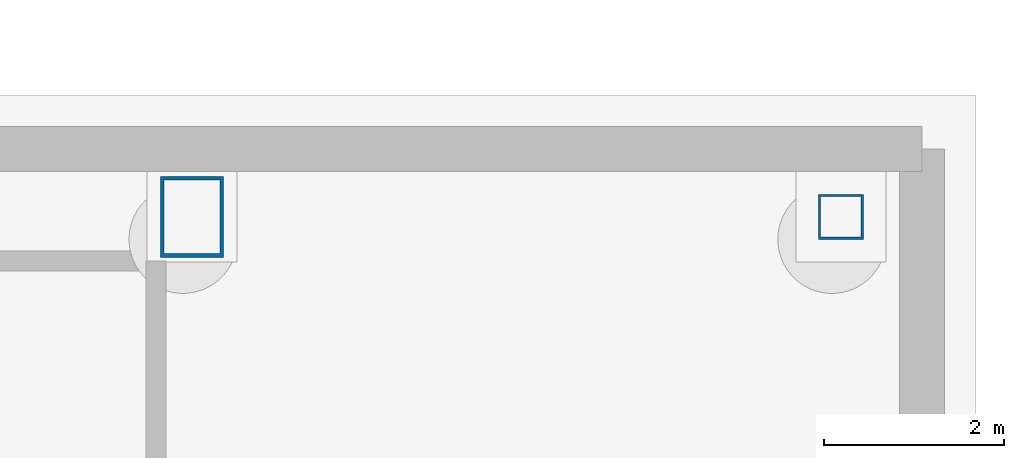
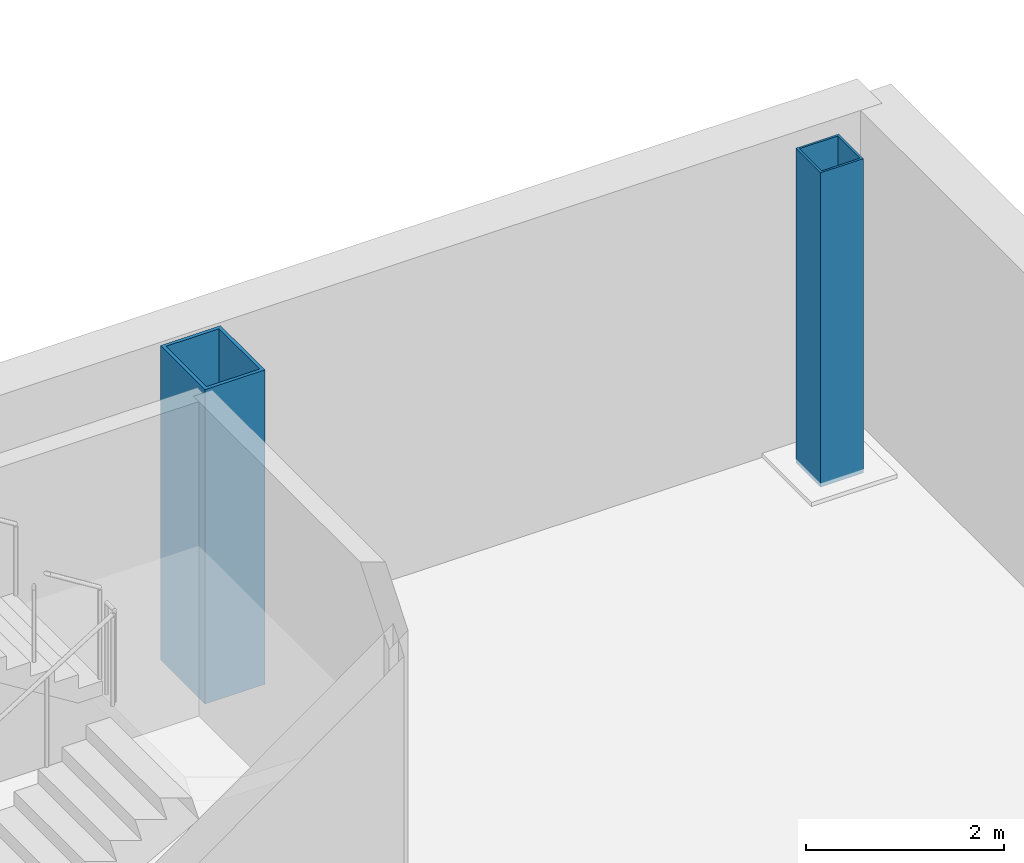
# One storey, part 5 of 16: 2 columns.
"""IFC4 building model written with IfcOpenShell, lengths in metres."""

from ifc_helpers import new_model, si_unit, direction, frame, origin, origin_2d, place, context, subcontext, project, spatial, hollow_rectangle, extrude, source, transform, mapped, material, material_profile, profile_set, type_object, element, save


model = new_model("IFC4")

# Units and contexts
model_context = context("Model", 3, precision=1e-05, world=origin(), true_north=direction((0.0, 1.0)))
body_context = subcontext(model_context, "Body", "Model", "MODEL_VIEW")
ifc_project = project(units=[si_unit("LENGTHUNIT", "METRE"), si_unit("AREAUNIT", "SQUARE_METRE"), si_unit("VOLUMEUNIT", "CUBIC_METRE"), si_unit("PLANEANGLEUNIT", "RADIAN"), si_unit("MASSUNIT", "GRAM", prefix="KILO")], contexts=[model_context])

# Site, building, storey
site_placement = place(None, origin())
site = spatial("IfcSite", under=ifc_project, at=site_placement, CompositionType="ELEMENT")
building_placement = place(site_placement, origin())
building = spatial("IfcBuilding", under=site, at=building_placement, Name="Kolveth Station Tower", CompositionType="ELEMENT")
storey_placement = place(building_placement, frame((0.0, 0.0, -8.39990234375)))
storey = spatial("IfcBuildingStorey", under=building, at=storey_placement, Name="B2", CompositionType="ELEMENT", Elevation=-8.39990234375)

# Columns
ifc_material = material(Name="Steel S355", Category="steel")
ifc_material_profile_1 = material_profile(ifc_material, hollow_rectangle(XDim=0.699951171875, YDim=0.89990234375, WallThickness=0.0400390625, at=origin_2d()), Name="BOX900x700x40")
ifc_profile_set_1 = profile_set([ifc_material_profile_1], Name="Steel S355")
column_type_1 = type_object("IfcColumnType", Name="Col_SC1", PredefinedType="COLUMN", material=ifc_profile_set_1)
shared_shape_1 = source(origin(), body_context, "Body", "SweptSolid", [
    extrude(hollow_rectangle(XDim=0.699951171875, YDim=0.89990234375, WallThickness=0.0400390625, at=origin_2d()), origin(), (0.0, 0.0, 1.0), 3.8798828125),
])
column_1_placement = place(storey_placement, frame((63.5, 39.75, 0.0), z_axis=(0.0, 0.0, 1.0), x_axis=(1.0, 0.0, 0.0)))
element("IfcColumn", 1, at=column_1_placement, inside=storey, type_object=column_type_1, Name="B2 Station Column SE-3-6", PredefinedType="COLUMN", context=body_context, shape_type="MappedRepresentation", body=[
    mapped(shared_shape_1, transform((0.0, 0.0, 0.0), x_axis=(1.0, 0.0, 0.0), y_axis=(0.0, 1.0, 0.0), z_axis=(0.0, 0.0, 1.0), scale=1.0)),
])
ifc_material_profile_2 = material_profile(ifc_material, hollow_rectangle(XDim=0.5, YDim=0.5, WallThickness=0.02490234375, at=origin_2d()), Name="HSS500x500x25")
ifc_profile_set_2 = profile_set([ifc_material_profile_2], Name="Steel S355")
column_type_2 = type_object("IfcColumnType", Name="Col_SC2", PredefinedType="COLUMN", material=ifc_profile_set_2)
shared_shape_2 = source(origin(), body_context, "Body", "SweptSolid", [
    extrude(hollow_rectangle(XDim=0.5, YDim=0.5, WallThickness=0.02490234375, at=origin_2d()), origin(), (0.0, 0.0, 1.0), 3.8798828125),
])
column_2_placement = place(storey_placement, frame((70.699951171875, 39.75, 0.0), z_axis=(0.0, 0.0, 1.0), x_axis=(1.0, 0.0, 0.0)))
element("IfcColumn", 2, at=column_2_placement, inside=storey, type_object=column_type_2, Name="B2 Station Column SE-4-6", PredefinedType="COLUMN", context=body_context, shape_type="MappedRepresentation", body=[
    mapped(shared_shape_2, transform((0.0, 0.0, 0.0), x_axis=(1.0, 0.0, 0.0), y_axis=(0.0, 1.0, 0.0), z_axis=(0.0, 0.0, 1.0), scale=1.0)),
])

save(model, "model.ifc")
